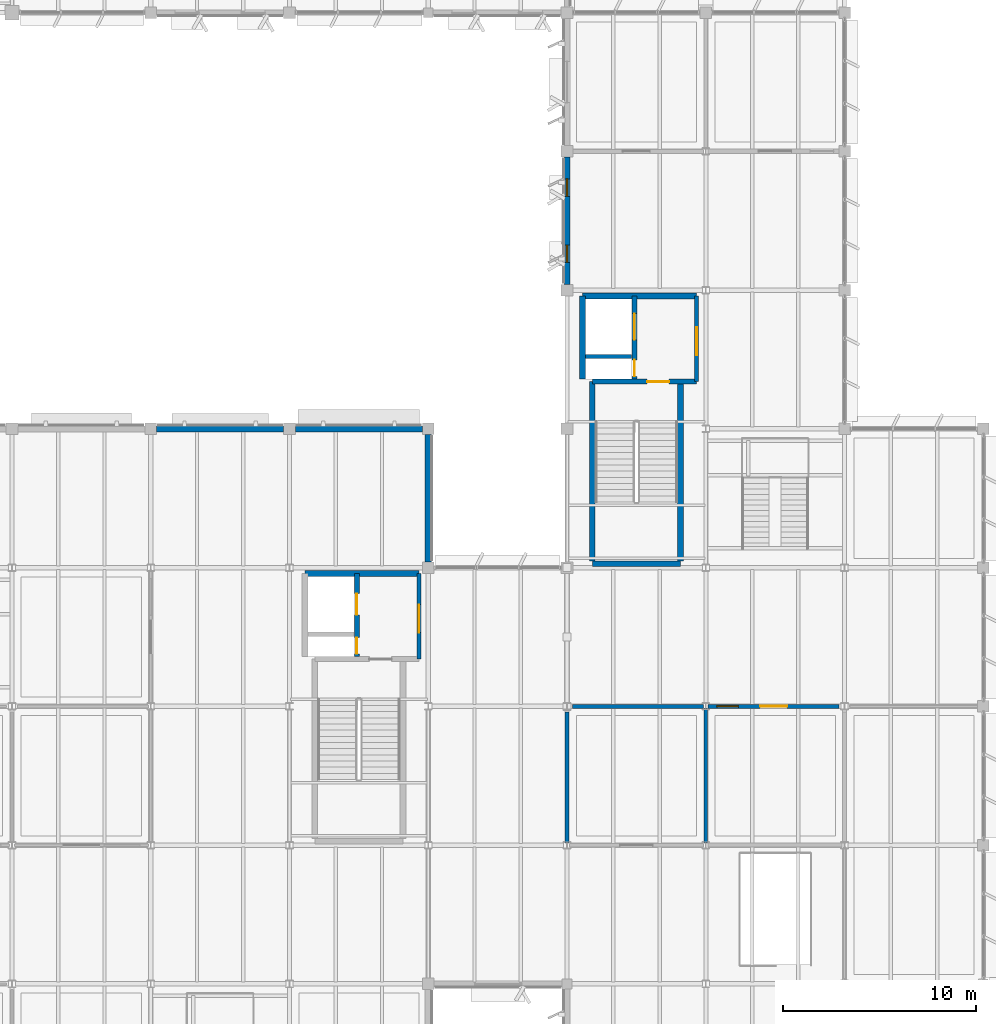
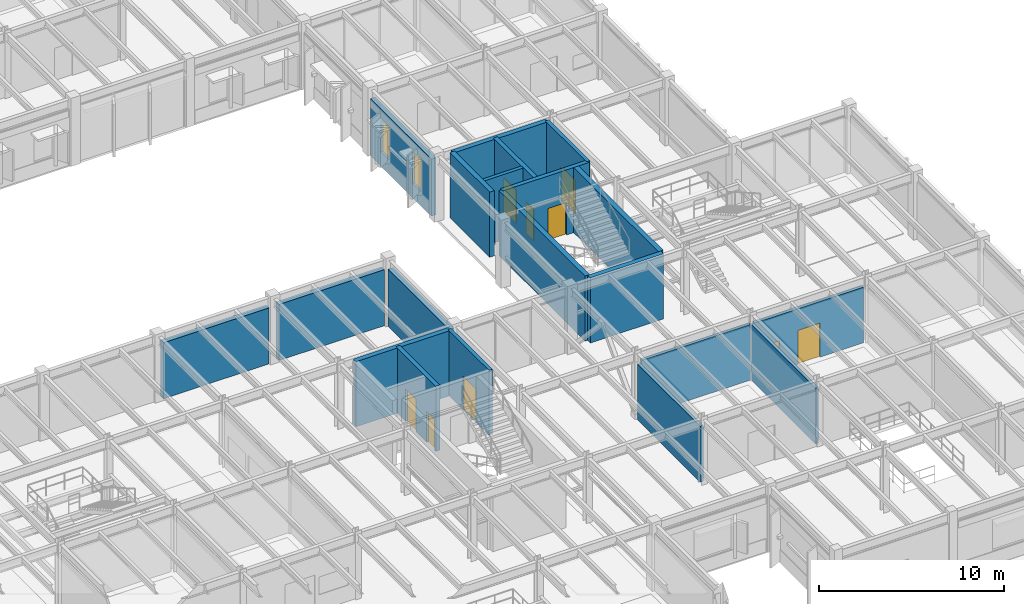
# One storey, part 37 of 92: 20 walls, 8 doors, 3 windows, 11 openings.
"""IFC4 building model written with IfcOpenShell, lengths in metres."""

from ifc_helpers import new_model, si_unit, direction, frame, frame_2d, origin, place, context, subcontext, project, spatial, rectangle, extrude, material, layer, layer_set, type_object, element, fill, save


model = new_model("IFC4")

# Units and contexts
model_context = context("Model", 3, precision=1e-05, world=origin(), true_north=direction((0.0, 1.0)))
body_context = subcontext(model_context, "Body", "Model", "MODEL_VIEW")
ifc_project = project(units=[si_unit("LENGTHUNIT", "METRE"), si_unit("AREAUNIT", "SQUARE_METRE"), si_unit("VOLUMEUNIT", "CUBIC_METRE"), si_unit("PLANEANGLEUNIT", "RADIAN"), si_unit("MASSUNIT", "GRAM", prefix="KILO")], contexts=[model_context])

# Site, building, storey
site_placement = place(None, origin())
site = spatial("IfcSite", under=ifc_project, at=site_placement, CompositionType="ELEMENT")
building_placement = place(site_placement, origin())
building = spatial("IfcBuilding", under=site, at=building_placement, Name="Sillqori Civic Hall", CompositionType="ELEMENT")
storey_placement = place(building_placement, frame((0.0, 0.0, 5.39990234375)))
storey = spatial("IfcBuildingStorey", under=building, at=storey_placement, Name="L02", CompositionType="ELEMENT", Elevation=5.39990234375)

# Wall
ifc_material_1 = material(Name="Concrete C35/45 (H35)", Category="concrete")
ifc_layer_1 = layer(ifc_material_1, 0.219970703125)
ifc_layer_set_1 = layer_set([ifc_layer_1], Name="Concrete C35/45 (H35)")
wall_type_1 = type_object("IfcWallType", Name="CW-SHR-220", PredefinedType="SHEAR", material=ifc_layer_set_1)
wall_1_placement = place(storey_placement, frame((123.35009765625, 61.35009765625, 0.0), z_axis=(0.0, 0.0, 1.0), x_axis=(1.0, 0.0, 0.0)))
element("IfcWall", 1, at=wall_1_placement, inside=storey, type_object=wall_type_1, Name="L02 C2 Lift-riser divider wall", PredefinedType="SHEAR", context=body_context, shape_type="SweptSolid", body=[
    extrude(rectangle(XDim=2.39990234375, YDim=0.219970703125, at=frame_2d((1.199951171875, 0.0))), origin(), (0.0, 0.0, 1.0), 4.300048828125),
])

# Wall, opening, door
wall_2_placement = place(storey_placement, frame((129.1201171875, 64.5, 0.0), z_axis=(0.0, 0.0, 1.0), x_axis=(0.0, -1.0, 0.0)))
wall_2 = element("IfcWall", 2, at=wall_2_placement, inside=storey, type_object=wall_type_1, Name="L02 C2 firefighting lobby enclosure wall", PredefinedType="SHEAR", context=body_context, shape_type="SweptSolid", body=[
    extrude(rectangle(XDim=4.449951171875, YDim=0.219970703125, at=frame_2d((2.22509765625, 0.0))), origin(), (0.0, 0.0, 1.0), 4.300048828125),
])
opening_1_placement = place(wall_2_placement, frame((1.625, 0.0, 0.0)))
opening_1 = element("IfcOpeningElement", 3, at=opening_1_placement, cuts=wall_2, Name="Opening FD-03", PredefinedType="OPENING", context=body_context, shape_type="SweptSolid", body=[
    extrude(rectangle(XDim=1.449951171875, YDim=2.199951171875, at=frame_2d((0.72509765625, 1.10009765625))), frame((0.0, 0.119873046875, 0.0), z_axis=(0.0, -1.0, 0.0), x_axis=(1.0, 0.0, 0.0)), (0.0, 0.0, 1.0), 0.239990234375),
])
ifc_material_2 = material(Name="Double-Leaf Smoke-Seal Lobby Door", Category="steel")
door_type_1 = type_object("IfcDoorType", Name="FDR-LOB-145X220", OperationType="NOTDEFINED", PredefinedType="DOOR", material=ifc_material_2)
door_1_placement = place(opening_1_placement, origin())
door_1 = element("IfcDoor", 4, at=door_1_placement, inside=storey, type_object=door_type_1, Name="L02 C2 firefighting lobby exit door", OperationType="DOUBLE_DOOR_SINGLE_SWING", OverallHeight=2.199951171875, OverallWidth=1.449951171875, PredefinedType="DOOR", context=body_context, shape_type="SweptSolid", body=[
    extrude(rectangle(XDim=1.449951171875, YDim=2.199951171875, at=frame_2d((0.72509765625, 1.10009765625))), frame((0.0, 0.02490234375, 0.0), z_axis=(0.0, -1.0, 0.0), x_axis=(1.0, 0.0, 0.0)), (0.0, 0.0, 1.0), 0.050048828125),
])
fill(opening_1, door_1)

wall_3_placement = place(storey_placement, frame((114.719970703125, 50.10009765625, 0.0), z_axis=(0.0, 0.0, 1.0), x_axis=(0.0, -1.0, 0.0)))
wall_3 = element("IfcWall", 5, at=wall_3_placement, inside=storey, type_object=wall_type_1, Name="L02 C3 firefighting lobby enclosure wall", PredefinedType="SHEAR", context=body_context, shape_type="SweptSolid", body=[
    extrude(rectangle(XDim=4.4501953125, YDim=0.219970703125, at=frame_2d((2.22509765625, 0.0))), origin(), (0.0, 0.0, 1.0), 4.300048828125),
])
opening_2_placement = place(wall_3_placement, frame((1.625, 0.0, 0.0)))
opening_2 = element("IfcOpeningElement", 6, at=opening_2_placement, cuts=wall_3, Name="Opening FD-03", PredefinedType="OPENING", context=body_context, shape_type="SweptSolid", body=[
    extrude(rectangle(XDim=1.449951171875, YDim=2.199951171875, at=frame_2d((0.72509765625, 1.10009765625))), frame((0.0, 0.119873046875, 0.0), z_axis=(0.0, -1.0, 0.0), x_axis=(1.0, 0.0, 0.0)), (0.0, 0.0, 1.0), 0.239990234375),
])
door_2_placement = place(opening_2_placement, origin())
door_2 = element("IfcDoor", 7, at=door_2_placement, inside=storey, type_object=door_type_1, Name="L02 C3 firefighting lobby exit door", OperationType="DOUBLE_DOOR_SINGLE_SWING", OverallHeight=2.199951171875, OverallWidth=1.449951171875, PredefinedType="DOOR", context=body_context, shape_type="SweptSolid", body=[
    extrude(rectangle(XDim=1.449951171875, YDim=2.199951171875, at=frame_2d((0.72509765625, 1.10009765625))), frame((0.0, 0.02490234375, 0.0), z_axis=(0.0, -1.0, 0.0), x_axis=(1.0, 0.0, 0.0)), (0.0, 0.0, 1.0), 0.050048828125),
])
fill(opening_2, door_2)

ifc_layer_2 = layer(ifc_material_1, 0.260009765625)
ifc_layer_set_2 = layer_set([ifc_layer_2], Name="Concrete C35/45 (H35)")
wall_type_2 = type_object("IfcWallType", Name="CW-SHR-260", PredefinedType="SHEAR", material=ifc_layer_set_2)
wall_4_placement = place(storey_placement, frame((123.7099609375, 60.050048828125, 0.0), z_axis=(0.0, 0.0, 1.0), x_axis=(1.0, 0.0, 0.0)))
wall_4 = element("IfcWall", 8, at=wall_4_placement, inside=storey, type_object=wall_type_2, Name="L02 C2 Stair-lobby fire wall", PredefinedType="SHEAR", context=body_context, shape_type="SweptSolid", body=[
    extrude(rectangle(XDim=5.41015625, YDim=0.260009765625, at=frame_2d((2.705078125, 0.0))), origin(), (0.0, 0.0, 1.0), 4.300048828125),
])
opening_3_placement = place(wall_4_placement, frame((2.840087890625, 0.0, 0.0)))
opening_3 = element("IfcOpeningElement", 9, at=opening_3_placement, cuts=wall_4, Name="Opening FD-01", PredefinedType="OPENING", context=body_context, shape_type="SweptSolid", body=[
    extrude(rectangle(XDim=1.14990234375, YDim=2.14990234375, at=frame_2d((0.574951171875, 1.074951171875))), frame((0.0, 0.139892578125, 0.0), z_axis=(0.0, -1.0, 0.0), x_axis=(1.0, 0.0, 0.0)), (0.0, 0.0, 1.0), 0.280029296875),
])
ifc_material_3 = material(Name="Galvanized Steel Fire Door FD90S", Category="steel")
door_type_2 = type_object("IfcDoorType", Name="FDR-STR-115X215", OperationType="NOTDEFINED", PredefinedType="DOOR", material=ifc_material_3)
door_3_placement = place(opening_3_placement, origin())
door_3 = element("IfcDoor", 10, at=door_3_placement, inside=storey, type_object=door_type_2, Name="L02 stair ST-02 fire door", OperationType="SINGLE_SWING_RIGHT", OverallHeight=2.14990234375, OverallWidth=1.14990234375, PredefinedType="DOOR", context=body_context, shape_type="SweptSolid", body=[
    extrude(rectangle(XDim=1.14990234375, YDim=2.14990234375, at=frame_2d((0.574951171875, 1.074951171875))), frame((0.0, 0.02490234375, 0.0), z_axis=(0.0, -1.0, 0.0), x_axis=(1.0, 0.0, 0.0)), (0.0, 0.0, 1.0), 0.050048828125),
])
fill(opening_3, door_3)

# Wall, openings, doors
wall_5_placement = place(storey_placement, frame((125.89990234375, 64.5, 0.0), z_axis=(0.0, 0.0, 1.0), x_axis=(0.0, -1.0, 0.0)))
wall_5 = element("IfcWall", 11, at=wall_5_placement, inside=storey, type_object=wall_type_2, Name="L02 C2 Lift landing & riser front wall", PredefinedType="SHEAR", context=body_context, shape_type="SweptSolid", body=[
    extrude(rectangle(XDim=4.320068359375, YDim=0.260009765625, at=frame_2d((2.16015625, 0.0))), origin(), (0.0, 0.0, 1.0), 4.300048828125),
])
opening_4_placement = place(wall_5_placement, frame((0.925048828125, 0.0, 0.0)))
opening_4 = element("IfcOpeningElement", 12, at=opening_4_placement, cuts=wall_5, Name="Opening LD-03", PredefinedType="OPENING", context=body_context, shape_type="SweptSolid", body=[
    extrude(rectangle(XDim=1.35009765625, YDim=2.199951171875, at=frame_2d((0.675048828125, 1.10009765625))), frame((0.0, 0.139892578125, 0.0), z_axis=(0.0, -1.0, 0.0), x_axis=(1.0, 0.0, 0.0)), (0.0, 0.0, 1.0), 0.280029296875),
])
opening_5_placement = place(wall_5_placement, frame((3.324951171875, 0.0, 0.0)))
opening_5 = element("IfcOpeningElement", 13, at=opening_5_placement, cuts=wall_5, Name="Opening FD-05", PredefinedType="OPENING", context=body_context, shape_type="SweptSolid", body=[
    extrude(rectangle(XDim=0.85009765625, YDim=2.050048828125, at=frame_2d((0.425048828125, 1.02490234375))), frame((0.0, 0.139892578125, 0.0), z_axis=(0.0, -1.0, 0.0), x_axis=(1.0, 0.0, 0.0)), (0.0, 0.0, 1.0), 0.280029296875),
])
ifc_material_4 = material(Name="Steel Riser Access Fire Door", Category="steel")
door_type_3 = type_object("IfcDoorType", Name="FDR-RSR-085X205", OperationType="NOTDEFINED", PredefinedType="DOOR", material=ifc_material_4)
door_4_placement = place(opening_5_placement, origin())
door_4 = element("IfcDoor", 14, at=door_4_placement, inside=storey, type_object=door_type_3, Name="L02 MEP riser C2 fire access door", OperationType="SINGLE_SWING_LEFT", OverallHeight=2.050048828125, OverallWidth=0.85009765625, PredefinedType="DOOR", context=body_context, shape_type="SweptSolid", body=[
    extrude(rectangle(XDim=0.85009765625, YDim=2.050048828125, at=frame_2d((0.425048828125, 1.02490234375))), frame((0.0, 0.02490234375, 0.0), z_axis=(0.0, -1.0, 0.0), x_axis=(1.0, 0.0, 0.0)), (0.0, 0.0, 1.0), 0.050048828125),
])
fill(opening_5, door_4)
ifc_material_5 = material(Name="Service Freight Lift Landing Door", Category="steel")
door_type_4 = type_object("IfcDoorType", Name="LDR-SERV-135X220", OperationType="NOTDEFINED", PredefinedType="DOOR", material=ifc_material_5)
door_5_placement = place(opening_4_placement, origin())
door_5 = element("IfcDoor", 15, at=door_5_placement, inside=storey, type_object=door_type_4, Name="L02 lift LF-08 sliding landing door", OperationType="DOUBLE_DOOR_SLIDING", OverallHeight=2.199951171875, OverallWidth=1.35009765625, PredefinedType="DOOR", context=body_context, shape_type="SweptSolid", body=[
    extrude(rectangle(XDim=1.35009765625, YDim=2.199951171875, at=frame_2d((0.675048828125, 1.10009765625))), frame((0.0, 0.02490234375, 0.0), z_axis=(0.0, -1.0, 0.0), x_axis=(1.0, 0.0, 0.0)), (0.0, 0.0, 1.0), 0.050048828125),
])
fill(opening_4, door_5)

wall_6_placement = place(storey_placement, frame((111.5, 50.10009765625, 0.0), z_axis=(0.0, 0.0, 1.0), x_axis=(0.0, -1.0, 0.0)))
wall_6 = element("IfcWall", 16, at=wall_6_placement, inside=storey, type_object=wall_type_2, Name="L02 C3 Lift landing & riser front wall", PredefinedType="SHEAR", context=body_context, shape_type="SweptSolid", body=[
    extrude(rectangle(XDim=4.320068359375, YDim=0.260009765625, at=frame_2d((2.16015625, 0.0))), origin(), (0.0, 0.0, 1.0), 4.300048828125),
])
opening_6_placement = place(wall_6_placement, frame((1.050048828125, 0.0, 0.0)))
opening_6 = element("IfcOpeningElement", 17, at=opening_6_placement, cuts=wall_6, Name="Opening LD-01", PredefinedType="OPENING", context=body_context, shape_type="SweptSolid", body=[
    extrude(rectangle(XDim=1.10009765625, YDim=2.14990234375, at=frame_2d((0.550048828125, 1.074951171875))), frame((0.0, 0.139892578125, 0.0), z_axis=(0.0, -1.0, 0.0), x_axis=(1.0, 0.0, 0.0)), (0.0, 0.0, 1.0), 0.280029296875),
])
opening_7_placement = place(wall_6_placement, frame((3.324951171875, 0.0, 0.0)))
opening_7 = element("IfcOpeningElement", 18, at=opening_7_placement, cuts=wall_6, Name="Opening FD-05", PredefinedType="OPENING", context=body_context, shape_type="SweptSolid", body=[
    extrude(rectangle(XDim=0.85009765625, YDim=2.050048828125, at=frame_2d((0.425048828125, 1.02490234375))), frame((0.0, 0.139892578125, 0.0), z_axis=(0.0, -1.0, 0.0), x_axis=(1.0, 0.0, 0.0)), (0.0, 0.0, 1.0), 0.280029296875),
])
door_6_placement = place(opening_7_placement, origin())
door_6 = element("IfcDoor", 19, at=door_6_placement, inside=storey, type_object=door_type_3, Name="L02 MEP riser C3 fire access door", OperationType="SINGLE_SWING_LEFT", OverallHeight=2.050048828125, OverallWidth=0.85009765625, PredefinedType="DOOR", context=body_context, shape_type="SweptSolid", body=[
    extrude(rectangle(XDim=0.85009765625, YDim=2.050048828125, at=frame_2d((0.425048828125, 1.02490234375))), frame((0.0, 0.02490234375, 0.0), z_axis=(0.0, -1.0, 0.0), x_axis=(1.0, 0.0, 0.0)), (0.0, 0.0, 1.0), 0.050048828125),
])
fill(opening_7, door_6)
ifc_material_6 = material(Name="Stainless Steel Lift Landing Door", Category="steel")
door_type_5 = type_object("IfcDoorType", Name="LDR-PASS-110X215", OperationType="NOTDEFINED", PredefinedType="DOOR", material=ifc_material_6)
door_7_placement = place(opening_6_placement, origin())
door_7 = element("IfcDoor", 20, at=door_7_placement, inside=storey, type_object=door_type_5, Name="L02 lift LF-05 sliding landing door", OperationType="DOUBLE_DOOR_SLIDING", OverallHeight=2.14990234375, OverallWidth=1.10009765625, PredefinedType="DOOR", context=body_context, shape_type="SweptSolid", body=[
    extrude(rectangle(XDim=1.10009765625, YDim=2.14990234375, at=frame_2d((0.550048828125, 1.074951171875))), frame((0.0, 0.02490234375, 0.0), z_axis=(0.0, -1.0, 0.0), x_axis=(1.0, 0.0, 0.0)), (0.0, 0.0, 1.0), 0.050048828125),
])
fill(opening_6, door_7)

# Walls
ifc_layer_3 = layer(ifc_material_1, 0.300048828125)
ifc_layer_set_3 = layer_set([ifc_layer_3], Name="Concrete C35/45 (H35)")
wall_type_3 = type_object("IfcWallType", Name="CW-SHR-300", PredefinedType="SHEAR", material=ifc_layer_set_3)
wall_7_placement = place(storey_placement, frame((123.7099609375, 50.60009765625, 0.0), z_axis=(0.0, 0.0, 1.0), x_axis=(1.0, 0.0, 0.0)))
element("IfcWall", 21, at=wall_7_placement, inside=storey, type_object=wall_type_3, Name="L02 C2 Stair south shear wall", PredefinedType="SHEAR", context=body_context, shape_type="SweptSolid", body=[
    extrude(rectangle(XDim=4.580078125, YDim=0.300048828125, at=frame_2d((2.2900390625, 0.0))), origin(), (0.0, 0.0, 1.0), 4.300048828125),
])
for number, where, z_axis, x_axis, name in (
    (22, (123.7099609375, 50.75, 0.0), (0.0, 0.0, 1.0), (0.0, 1.0, 0.0), "L02 C2 Stair west shear wall"),
    (23, (128.2900390625, 50.75, 0.0), (0.0, 0.0, 1.0), (0.0, 1.0, 0.0), "L02 C2 Stair east shear wall"),
):
    element("IfcWall", number, at=place(storey_placement, frame(where, z_axis=z_axis, x_axis=x_axis)), inside=storey, type_object=wall_type_3, Name=name, PredefinedType="SHEAR", context=body_context, shape_type="SweptSolid", body=[
        extrude(rectangle(XDim=9.300048828125, YDim=0.300048828125, at=frame_2d((4.64990234375, 0.0))), origin(), (0.0, 0.0, 1.0), 4.300048828125),
    ])
wall_8_placement = place(storey_placement, frame((123.199951171875, 60.179931640625, 0.0), z_axis=(0.0, 0.0, 1.0), x_axis=(0.0, 1.0, 0.0)))
element("IfcWall", 24, at=wall_8_placement, inside=storey, type_object=wall_type_3, Name="L02 C2 Lift shaft west shear wall", PredefinedType="SHEAR", context=body_context, shape_type="SweptSolid", body=[
    extrude(rectangle(XDim=4.320068359375, YDim=0.300048828125, at=frame_2d((2.16015625, 0.0))), origin(), (0.0, 0.0, 1.0), 4.300048828125),
])
wall_9_placement = place(storey_placement, frame((123.199951171875, 64.5, 0.0), z_axis=(0.0, 0.0, 1.0), x_axis=(1.0, 0.0, 0.0)))
element("IfcWall", 25, at=wall_9_placement, inside=storey, type_object=wall_type_3, Name="L02 C2 Core north shear wall", PredefinedType="SHEAR", context=body_context, shape_type="SweptSolid", body=[
    extrude(rectangle(XDim=5.920166015625, YDim=0.300048828125, at=frame_2d((2.9599609375, 0.0))), origin(), (0.0, 0.0, 1.0), 4.300048828125),
])
wall_10_placement = place(storey_placement, frame((108.800048828125, 50.10009765625, 0.0), z_axis=(0.0, 0.0, 1.0), x_axis=(1.0, 0.0, 0.0)))
element("IfcWall", 26, at=wall_10_placement, inside=storey, type_object=wall_type_3, Name="L02 C3 Core north shear wall", PredefinedType="SHEAR", context=body_context, shape_type="SweptSolid", body=[
    extrude(rectangle(XDim=5.919921875, YDim=0.300048828125, at=frame_2d((2.9599609375, 0.0))), origin(), (0.0, 0.0, 1.0), 4.300048828125),
])

# Wall, openings, windows
ifc_material_7 = material(Name="Precast concrete C40/50 (H40)", Category="concrete")
ifc_layer_4 = layer(ifc_material_7, 0.300048828125)
ifc_layer_set_4 = layer_set([ifc_layer_4], Name="Precast concrete C40/50 (H40)")
wall_type_4 = type_object("IfcWallType", Name="EW-LIME-300", PredefinedType="SOLIDWALL", material=ifc_layer_set_4)
wall_11_placement = place(storey_placement, frame((122.39990234375, 65.10009765625, 0.0), z_axis=(0.0, 0.0, 1.0), x_axis=(0.0, 1.0, 0.0)))
wall_11 = element("IfcWall", 27, at=wall_11_placement, inside=storey, type_object=wall_type_4, Name="L02 V3 exterior wall L02-17-09-W", PredefinedType="SOLIDWALL", context=body_context, shape_type="SweptSolid", body=[
    extrude(rectangle(XDim=6.599853515625, YDim=0.300048828125, at=frame_2d((3.2998046875, 0.0))), origin(), (0.0, 0.0, 1.0), 3.76708984375),
])
opening_8_placement = place(wall_11_placement, frame((1.134033203125, 0.0, 0.949951171875)))
opening_8 = element("IfcOpeningElement", 28, at=opening_8_placement, cuts=wall_11, Name="Opening W-12", PredefinedType="OPENING", context=body_context, shape_type="SweptSolid", body=[
    extrude(rectangle(XDim=0.89990234375, YDim=2.10009765625, at=frame_2d((0.449951171875, 1.050048828125))), frame((0.0, 0.159912109375, 0.0), z_axis=(0.0, -1.0, 0.0), x_axis=(1.0, 0.0, 0.0)), (0.0, 0.0, 1.0), 0.320068359375),
])
opening_9_placement = place(wall_11_placement, frame((4.56591796875, 0.0, 0.949951171875)))
opening_9 = element("IfcOpeningElement", 29, at=opening_9_placement, cuts=wall_11, Name="Opening W-12", PredefinedType="OPENING", context=body_context, shape_type="SweptSolid", body=[
    extrude(rectangle(XDim=0.89990234375, YDim=2.10009765625, at=frame_2d((0.449951171875, 1.050048828125))), frame((0.0, 0.159912109375, 0.0), z_axis=(0.0, -1.0, 0.0), x_axis=(1.0, 0.0, 0.0)), (0.0, 0.0, 1.0), 0.320068359375),
])
ifc_material_8 = material(Name="Thermally Broken Aluminium Low-E Window", Category="aluminium")
window_type_1 = type_object("IfcWindowType", Name="WIN-V3-090X210", PartitioningType="SINGLE_PANEL", PredefinedType="WINDOW", material=ifc_material_8)
window_1_placement = place(opening_8_placement, origin())
window_1 = element("IfcWindow", 30, at=window_1_placement, inside=storey, type_object=window_type_1, Name="L02 V3 window L02-17-09-W.1", OverallHeight=2.10009765625, OverallWidth=0.89990234375, PartitioningType="SINGLE_PANEL", PredefinedType="WINDOW", context=body_context, shape_type="SweptSolid", body=[
    extrude(rectangle(XDim=0.89990234375, YDim=2.10009765625, at=frame_2d((0.449951171875, 1.050048828125))), frame((0.0, 0.030029296875, 0.0), z_axis=(0.0, -1.0, 0.0), x_axis=(1.0, 0.0, 0.0)), (0.0, 0.0, 1.0), 0.06005859375),
])
fill(opening_8, window_1)
window_2_placement = place(opening_9_placement, origin())
window_2 = element("IfcWindow", 31, at=window_2_placement, inside=storey, type_object=window_type_1, Name="L02 V3 window L02-17-09-W.2", OverallHeight=2.10009765625, OverallWidth=0.89990234375, PartitioningType="SINGLE_PANEL", PredefinedType="WINDOW", context=body_context, shape_type="SweptSolid", body=[
    extrude(rectangle(XDim=0.89990234375, YDim=2.10009765625, at=frame_2d((0.449951171875, 1.050048828125))), frame((0.0, 0.030029296875, 0.0), z_axis=(0.0, -1.0, 0.0), x_axis=(1.0, 0.0, 0.0)), (0.0, 0.0, 1.0), 0.06005859375),
])
fill(opening_9, window_2)

# Walls
ifc_layer_5 = layer(ifc_material_7, 0.320068359375)
ifc_layer_set_5 = layer_set([ifc_layer_5], Name="Precast concrete C40/50 (H40)")
wall_type_5 = type_object("IfcWallType", Name="EW-LIME-320", PredefinedType="SOLIDWALL", material=ifc_layer_set_5)
for number, where, z_axis, x_axis, name in (
    (32, (101.10009765625, 57.60009765625, 0.0), (0.0, 0.0, 1.0), (1.0, 0.0, 0.0), "L02 V2 exterior wall L02-14-07-N"),
    (33, (108.300048828125, 57.60009765625, 0.0), (0.0, 0.0, 1.0), (1.0, 0.0, 0.0), "L02 V2 exterior wall L02-15-07-N"),
):
    element("IfcWall", number, at=place(storey_placement, frame(where, z_axis=z_axis, x_axis=x_axis)), inside=storey, type_object=wall_type_5, Name=name, PredefinedType="SOLIDWALL", context=body_context, shape_type="SweptSolid", body=[
        extrude(rectangle(XDim=6.599853515625, YDim=0.320068359375, at=frame_2d((3.2998046875, 0.0))), origin(), (0.0, 0.0, 1.0), 3.697998046875),
    ])
wall_12_placement = place(storey_placement, frame((115.199951171875, 57.300048828125, 0.0), z_axis=(0.0, 0.0, 1.0), x_axis=(0.0, -1.0, 0.0)))
element("IfcWall", 34, at=wall_12_placement, inside=storey, type_object=wall_type_5, Name="L02 V2 exterior wall L02-15-07-E", PredefinedType="SOLIDWALL", context=body_context, shape_type="SweptSolid", body=[
    extrude(rectangle(XDim=6.60009765625, YDim=0.320068359375, at=frame_2d((3.300048828125, 0.0))), origin(), (0.0, 0.0, 1.0), 3.76708984375),
])
ifc_material_9 = material(Name="Concrete C25/30 (H25)", Category="concrete")
ifc_layer_6 = layer(ifc_material_9, 0.196044921875)
ifc_layer_set_6 = layer_set([ifc_layer_6], Name="Concrete C25/30 (H25)")
wall_type_6 = type_object("IfcWallType", Name="PT-MAS-196", PredefinedType="PARTITIONING", material=ifc_layer_set_6)
wall_13_placement = place(storey_placement, frame((122.679931640625, 43.199951171875, 0.0), z_axis=(0.0, 0.0, 1.0), x_axis=(1.0, 0.0, 0.0)))
element("IfcWall", 35, at=wall_13_placement, inside=storey, type_object=wall_type_6, Name="Members Library Main Reading Room partition N2", PredefinedType="PARTITIONING", context=body_context, shape_type="SweptSolid", body=[
    extrude(rectangle(XDim=6.800048828125, YDim=0.196044921875, at=frame_2d((3.39990234375, 0.0))), origin(), (0.0, 0.0, 1.0), 3.677978515625),
])
wall_14_placement = place(storey_placement, frame((122.39990234375, 36.1201171875, 0.0), z_axis=(0.0, 0.0, 1.0), x_axis=(0.0, 1.0, 0.0)))
element("IfcWall", 36, at=wall_14_placement, inside=storey, type_object=wall_type_6, Name="Members Library Main Reading Room partition W3", PredefinedType="PARTITIONING", context=body_context, shape_type="SweptSolid", body=[
    extrude(rectangle(XDim=6.7998046875, YDim=0.196044921875, at=frame_2d((3.39990234375, 0.0))), origin(), (0.0, 0.0, 1.0), 3.677978515625),
])
wall_15_placement = place(storey_placement, frame((129.60009765625, 43.080078125, 0.0), z_axis=(0.0, 0.0, 1.0), x_axis=(0.0, -1.0, 0.0)))
element("IfcWall", 37, at=wall_15_placement, inside=storey, type_object=wall_type_6, Name="Members Library Main Reading Room partition E4", PredefinedType="PARTITIONING", context=body_context, shape_type="SweptSolid", body=[
    extrude(rectangle(XDim=6.9599609375, YDim=0.196044921875, at=frame_2d((3.47998046875, 0.0))), origin(), (0.0, 0.0, 1.0), 3.677978515625),
])

# Wall, openings, door, window
ifc_layer_7 = layer(ifc_material_9, 0.2119140625)
ifc_layer_set_7 = layer_set([ifc_layer_7], Name="Concrete C25/30 (H25)")
wall_type_7 = type_object("IfcWallType", Name="PT-MAS-212", PredefinedType="PARTITIONING", material=ifc_layer_set_7)
wall_16_placement = place(storey_placement, frame((129.719970703125, 43.199951171875, 0.0), z_axis=(0.0, 0.0, 1.0), x_axis=(1.0, 0.0, 0.0)))
wall_16 = element("IfcWall", 38, at=wall_16_placement, inside=storey, type_object=wall_type_7, Name="Library Open Book Stacks South partition N1", PredefinedType="PARTITIONING", context=body_context, shape_type="SweptSolid", body=[
    extrude(rectangle(XDim=6.800048828125, YDim=0.2119140625, at=frame_2d((3.39990234375, 0.0))), origin(), (0.0, 0.0, 1.0), 3.677978515625),
])
opening_10_placement = place(wall_16_placement, frame((2.699951171875, 0.0, 0.0)))
opening_10 = element("IfcOpeningElement", 39, at=opening_10_placement, cuts=wall_16, Name="Opening ID-10", PredefinedType="OPENING", context=body_context, shape_type="SweptSolid", body=[
    extrude(rectangle(XDim=1.39990234375, YDim=2.25, at=frame_2d((0.699951171875, 1.125))), frame((0.0, 0.115966796875, 0.0), z_axis=(0.0, -1.0, 0.0), x_axis=(1.0, 0.0, 0.0)), (0.0, 0.0, 1.0), 0.23193359375),
])
opening_11_placement = place(wall_16_placement, frame((0.449951171875, 0.0, 1.050048828125)))
opening_11 = element("IfcOpeningElement", 40, at=opening_11_placement, cuts=wall_16, Name="Opening IW-25", PredefinedType="OPENING", context=body_context, shape_type="SweptSolid", body=[
    extrude(rectangle(XDim=1.1201171875, YDim=0.919921875, at=frame_2d((0.56005859375, 0.4599609375))), frame((0.0, 0.115966796875, 0.0), z_axis=(0.0, -1.0, 0.0), x_axis=(1.0, 0.0, 0.0)), (0.0, 0.0, 1.0), 0.23193359375),
])
ifc_material_10 = material(Name="Open Stacks Double Leaf Fire Door", Category="timber")
door_type_6 = type_object("IfcDoorType", Name="IDR-STK-140X225", OperationType="NOTDEFINED", PredefinedType="DOOR", material=ifc_material_10)
door_8_placement = place(opening_10_placement, origin())
door_8 = element("IfcDoor", 41, at=door_8_placement, inside=storey, type_object=door_type_6, Name="Library Open Book Stacks South entrance door", OperationType="DOUBLE_DOOR_SINGLE_SWING", OverallHeight=2.25, OverallWidth=1.39990234375, PredefinedType="DOOR", context=body_context, shape_type="SweptSolid", body=[
    extrude(rectangle(XDim=1.39990234375, YDim=2.25, at=frame_2d((0.699951171875, 1.125))), frame((0.0, 0.02490234375, 0.0), z_axis=(0.0, -1.0, 0.0), x_axis=(1.0, 0.0, 0.0)), (0.0, 0.0, 1.0), 0.050048828125),
])
fill(opening_10, door_8)
ifc_material_11 = material(Name="Acoustic Laminated Interior Clerestory Glazing", Category="glass")
window_type_2 = type_object("IfcWindowType", Name="IWN-GAL-112X092", PartitioningType="SINGLE_PANEL", PredefinedType="WINDOW", material=ifc_material_11)
window_3_placement = place(opening_11_placement, origin())
window_3 = element("IfcWindow", 42, at=window_3_placement, inside=storey, type_object=window_type_2, Name="Library Open Book Stacks South borrowed-light screen", OverallHeight=0.919921875, OverallWidth=1.1201171875, PartitioningType="SINGLE_PANEL", PredefinedType="WINDOW", context=body_context, shape_type="SweptSolid", body=[
    extrude(rectangle(XDim=1.1201171875, YDim=0.919921875, at=frame_2d((0.56005859375, 0.4599609375))), frame((0.0, 0.030029296875, 0.0), z_axis=(0.0, -1.0, 0.0), x_axis=(1.0, 0.0, 0.0)), (0.0, 0.0, 1.0), 0.06005859375),
])
fill(opening_11, window_3)

save(model, "model.ifc")
